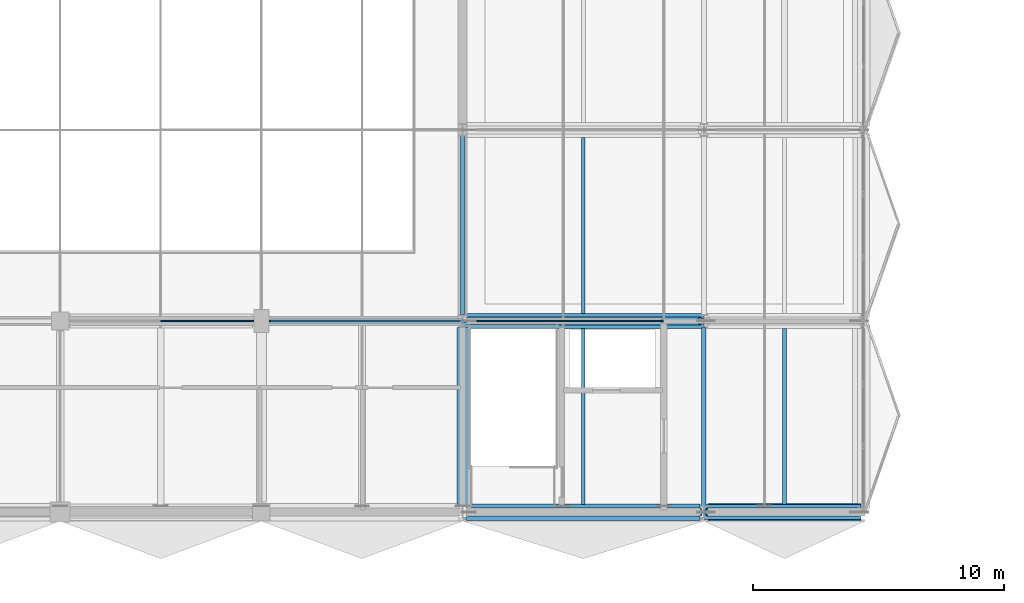
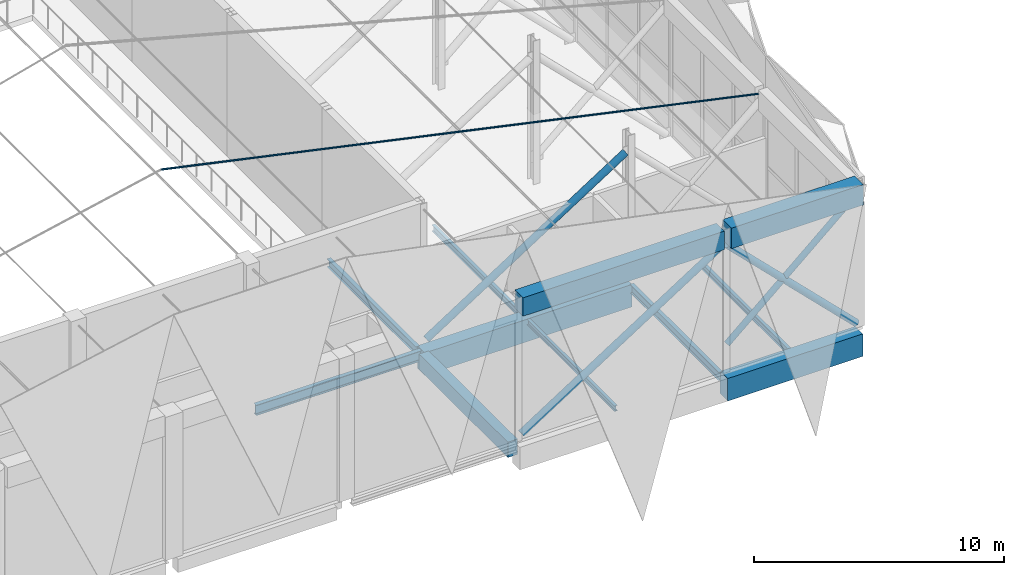
# One storey, part 6 of 46: 11 beams, 5 members.
"""IFC4 building model written with IfcOpenShell, lengths in metres."""

from ifc_helpers import new_model, si_unit, direction, frame, origin, origin_2d, place, context, subcontext, project, spatial, rectangle, circle, hollow_circle, i_section, extrude, material, material_profile, profile_set, type_object, element, save


model = new_model("IFC4")

# Units and contexts
model_context = context("Model", 3, precision=1e-05, world=origin(), true_north=direction((0.0, 1.0)))
body_context = subcontext(model_context, "Body", "Model", "MODEL_VIEW")
ifc_project = project(units=[si_unit("LENGTHUNIT", "METRE"), si_unit("AREAUNIT", "SQUARE_METRE"), si_unit("VOLUMEUNIT", "CUBIC_METRE"), si_unit("PLANEANGLEUNIT", "RADIAN"), si_unit("MASSUNIT", "GRAM", prefix="KILO")], contexts=[model_context])

# Site, building, storey
site_placement = place(None, origin())
site = spatial("IfcSite", under=ifc_project, at=site_placement, CompositionType="ELEMENT")
building_placement = place(site_placement, origin())
building = spatial("IfcBuilding", under=site, at=building_placement, Name="Khelvaren Railside Concert Hall", CompositionType="ELEMENT")
storey_placement = place(building_placement, frame((0.0, 0.0, 19.800048828125)))
storey = spatial("IfcBuildingStorey", under=building, at=storey_placement, Name="L04", CompositionType="ELEMENT", Elevation=19.800048828125)

# Beams
ifc_material_1 = material(Name="Steel S355", Category="steel")
ifc_material_profile_1 = material_profile(ifc_material_1, i_section(OverallWidth=0.179931640625, OverallDepth=0.39990234375, WebThickness=0.008544921875, FlangeThickness=0.013427734375, FilletRadius=0.02099609375, at=origin_2d()), Name="IPE 400")
ifc_profile_set_1 = profile_set([ifc_material_profile_1], Name="Steel S355")
beam_type_1 = type_object("IfcBeamType", Name="BM29", PredefinedType="BEAM", material=ifc_profile_set_1)
beam_1_placement = place(storey_placement, frame((40.0, 7.85009765625, -0.469970703125), z_axis=(0.0, 1.0, 0.0), x_axis=(-1.0, 0.0, 0.0)))
element("IfcBeam", 1, at=beam_1_placement, inside=storey, type_object=beam_type_1, Name="V1 L04 Beam Y6.2", PredefinedType="BEAM", context=body_context, shape_type="SweptSolid", body=[
    extrude(i_section(OverallWidth=0.179931640625, OverallDepth=0.39990234375, WebThickness=0.008544921875, FlangeThickness=0.013427734375, FilletRadius=0.02099609375, at=origin_2d()), origin(), (0.0, 0.0, 1.0), 7.099853515625),
])
beam_2_placement = place(storey_placement, frame((49.60009765625, 0.25, -0.469970703125), z_axis=(0.0, 1.0, 0.0), x_axis=(-1.0, 0.0, 0.0)))
element("IfcBeam", 2, at=beam_2_placement, inside=storey, type_object=beam_type_1, Name="V1 L04 Beam Y7.1", PredefinedType="BEAM", context=body_context, shape_type="SweptSolid", body=[
    extrude(i_section(OverallWidth=0.179931640625, OverallDepth=0.39990234375, WebThickness=0.008544921875, FlangeThickness=0.013427734375, FilletRadius=0.02099609375, at=origin_2d()), origin(), (0.0, 0.0, 1.0), 7.10009765625),
])
ifc_material_profile_2 = material_profile(ifc_material_1, i_section(OverallWidth=0.199951171875, OverallDepth=0.5, WebThickness=0.01025390625, FlangeThickness=0.01611328125, FilletRadius=0.02099609375, at=origin_2d()), Name="IPE 500")
ifc_profile_set_2 = profile_set([ifc_material_profile_2], Name="Steel S355")
beam_type_2 = type_object("IfcBeamType", Name="BM62", PredefinedType="BEAM", material=ifc_profile_set_2)
beam_3_placement = place(storey_placement, frame((32.35009765625, 7.60009765625, -0.52001953125), z_axis=(1.0, 0.0, 0.0), x_axis=(0.0, 1.0, 0.0)))
element("IfcBeam", 3, at=beam_3_placement, inside=storey, type_object=beam_type_2, Name="V1 L04 Beam X2.5", PredefinedType="BEAM", context=body_context, shape_type="SweptSolid", body=[
    extrude(i_section(OverallWidth=0.199951171875, OverallDepth=0.5, WebThickness=0.01025390625, FlangeThickness=0.01611328125, FilletRadius=0.02099609375, at=origin_2d()), origin(), (0.0, 0.0, 1.0), 7.639892578125),
])
ifc_material_2 = material(Name="Concrete C40/50", Category="concrete")
ifc_material_profile_3 = material_profile(ifc_material_2, rectangle(XDim=0.449951171875, YDim=0.75, at=origin_2d()), Name="RCB 450x750")
ifc_profile_set_3 = profile_set([ifc_material_profile_3], Name="Concrete C40/50")
beam_type_3 = type_object("IfcBeamType", Name="BM83", PredefinedType="BEAM", material=ifc_profile_set_3)
beam_4_placement = place(storey_placement, frame((40.0, 0.25, -0.64501953125), z_axis=(0.0, 1.0, 0.0), x_axis=(-1.0, 0.0, 0.0)))
element("IfcBeam", 4, at=beam_4_placement, inside=storey, type_object=beam_type_3, Name="V1 L04 Beam Y6.1", PredefinedType="BEAM", context=body_context, shape_type="SweptSolid", body=[
    extrude(rectangle(XDim=0.449951171875, YDim=0.75, at=origin_2d()), origin(), (0.0, 0.0, 1.0), 7.10009765625),
])

# Members
ifc_material_profile_4 = material_profile(ifc_material_1, hollow_circle(Radius=0.161865234375, WallThickness=0.01611328125, at=origin_2d()), Name="CHS 323.9x16")
ifc_profile_set_4 = profile_set([ifc_material_profile_4], Name="Steel S355")
member_type_1 = type_object("IfcMemberType", Name="BR78", PredefinedType="BRACE", material=ifc_profile_set_4)
member_1_placement = place(storey_placement, frame((49.75, 0.0, 6.050048828125), z_axis=(0.710072403589, 0.0, -0.704128668399), x_axis=(0.0, 1.0, 0.0)))
element("IfcMember", 5, at=member_1_placement, inside=storey, type_object=member_type_1, Name="V1 L04 Plaza Cantilever Truss Diagonal 1A", PredefinedType="BRACE", context=body_context, shape_type="SweptSolid", body=[
    extrude(hollow_circle(Radius=0.161865234375, WallThickness=0.01611328125, at=origin_2d()), origin(), (0.0, 0.0, 1.0), 8.37939453125),
])
for number, where, z_axis, x_axis, name in (
    (6, (40.25, 0.0, 0.14990234375), (0.841765139868, 0.0, 0.539843911981), (0.0, 1.0, 0.0), "V1 L04 Plaza Cantilever Truss Backspan Diagonal 1B"),
    (7, (40.25, 7.60009765625, 0.14990234375), (0.841765139868, 0.0, 0.539843911981), (0.0, 1.0, 0.0), "V1 L04 Plaza Cantilever Truss Backspan Diagonal 2B"),
):
    element("IfcMember", number, at=place(storey_placement, frame(where, z_axis=z_axis, x_axis=x_axis)), inside=storey, type_object=member_type_1, Name=name, PredefinedType="BRACE", context=body_context, shape_type="SweptSolid", body=[
        extrude(hollow_circle(Radius=0.161865234375, WallThickness=0.01611328125, at=origin_2d()), origin(), (0.0, 0.0, 1.0), 10.929443359375),
    ])

# Beams
ifc_material_profile_5 = material_profile(ifc_material_2, rectangle(XDim=0.60009765625, YDim=1.10009765625, at=origin_2d()), Name="RCB 600x1100")
ifc_profile_set_5 = profile_set([ifc_material_profile_5], Name="Concrete C40/50")
beam_type_4 = type_object("IfcBeamType", Name="GR15", PredefinedType="T_BEAM", material=ifc_profile_set_5)
beam_5_placement = place(storey_placement, frame((49.610107421875, 0.0, -0.820068359375), z_axis=(1.0, 0.0, 0.0), x_axis=(0.0, 1.0, 0.0)))
element("IfcBeam", 8, at=beam_5_placement, inside=storey, type_object=beam_type_4, Name="V1 L04 Arrival Cantilever Girder 1", PredefinedType="T_BEAM", context=body_context, shape_type="SweptSolid", body=[
    extrude(rectangle(XDim=0.60009765625, YDim=1.10009765625, at=origin_2d()), origin(), (0.0, 0.0, 1.0), 6.239990234375),
])
beam_6_placement = place(storey_placement, frame((40.010009765625, 7.60009765625, -0.820068359375), z_axis=(1.0, 0.0, 0.0), x_axis=(0.0, 1.0, 0.0)))
element("IfcBeam", 9, at=beam_6_placement, inside=storey, type_object=beam_type_4, Name="V1 L04 Cantilever Backspan Girder 2", PredefinedType="T_BEAM", context=body_context, shape_type="SweptSolid", body=[
    extrude(rectangle(XDim=0.60009765625, YDim=1.10009765625, at=origin_2d()), origin(), (0.0, 0.0, 1.0), 9.580078125),
])
ifc_material_profile_6 = material_profile(ifc_material_1, i_section(OverallWidth=0.14990234375, OverallDepth=0.300048828125, WebThickness=0.007080078125, FlangeThickness=0.0107421875, FilletRadius=0.014892578125, at=origin_2d()), Name="IPE 300")
ifc_profile_set_6 = profile_set([ifc_material_profile_6], Name="Steel S355")
beam_type_5 = type_object("IfcBeamType", Name="JS26", PredefinedType="JOIST", material=ifc_profile_set_6)
for number, where, z_axis, x_axis, name in (
    (10, (44.800048828125, 7.89990234375, -0.420166015625), (0.0, 1.0, 0.0), (-1.0, 0.0, 0.0), "V1 L04 Secondary Joist 6.2"),
    (11, (52.800048828125, 0.300048828125, -0.420166015625), (0.0, 1.0, 0.0), (-1.0, 0.0, 0.0), "V1 L04 Secondary Joist 7.1"),
):
    element("IfcBeam", number, at=place(storey_placement, frame(where, z_axis=z_axis, x_axis=x_axis)), inside=storey, type_object=beam_type_5, Name=name, PredefinedType="JOIST", context=body_context, shape_type="SweptSolid", body=[
        extrude(i_section(OverallWidth=0.14990234375, OverallDepth=0.300048828125, WebThickness=0.007080078125, FlangeThickness=0.0107421875, FilletRadius=0.014892578125, at=origin_2d()), origin(), (0.0, 0.0, 1.0), 7.0),
    ])
ifc_material_profile_7 = material_profile(ifc_material_1, i_section(OverallWidth=0.135009765625, OverallDepth=0.27001953125, WebThickness=0.006591796875, FlangeThickness=0.01025390625, FilletRadius=0.014892578125, at=origin_2d()), Name="IPE 270")
ifc_profile_set_7 = profile_set([ifc_material_profile_7], Name="Steel S355")
beam_type_6 = type_object("IfcBeamType", Name="JS78", PredefinedType="JOIST", material=ifc_profile_set_7)
beam_7_placement = place(storey_placement, frame((44.800048828125, 0.300048828125, -0.405029296875), z_axis=(0.0, 1.0, 0.0), x_axis=(-1.0, 0.0, 0.0)))
element("IfcBeam", 12, at=beam_7_placement, inside=storey, type_object=beam_type_6, Name="V1 L04 Secondary Joist 6.1", PredefinedType="JOIST", context=body_context, shape_type="SweptSolid", body=[
    extrude(i_section(OverallWidth=0.135009765625, OverallDepth=0.27001953125, WebThickness=0.006591796875, FlangeThickness=0.01025390625, FilletRadius=0.014892578125, at=origin_2d()), origin(), (0.0, 0.0, 1.0), 7.0),
])
ifc_material_profile_8 = material_profile(ifc_material_2, rectangle(XDim=0.699951171875, YDim=1.0, at=origin_2d()), Name="RCB 700x1000")
ifc_profile_set_8 = profile_set([ifc_material_profile_8], Name="Concrete C40/50")
beam_type_7 = type_object("IfcBeamType", Name="RB80", PredefinedType="USERDEFINED", material=ifc_profile_set_8)
beam_8_placement = place(storey_placement, frame((49.75, 0.0, 6.550048828125), z_axis=(1.0, 0.0, 0.0), x_axis=(0.0, 1.0, 0.0)))
element("IfcBeam", 13, at=beam_8_placement, inside=storey, type_object=beam_type_7, Name="Main Hall Compression Ring Beam 7", ObjectType="RING BEAM", PredefinedType="USERDEFINED", context=body_context, shape_type="SweptSolid", body=[
    extrude(rectangle(XDim=0.699951171875, YDim=1.0, at=origin_2d()), origin(), (0.0, 0.0, 1.0), 6.10009765625),
])
ifc_material_profile_9 = material_profile(ifc_material_2, rectangle(XDim=0.64990234375, YDim=0.89990234375, at=origin_2d()), Name="RCB 650x900")
ifc_profile_set_9 = profile_set([ifc_material_profile_9], Name="Concrete C40/50")
beam_type_8 = type_object("IfcBeamType", Name="RB88", PredefinedType="USERDEFINED", material=ifc_profile_set_9)
beam_9_placement = place(storey_placement, frame((40.14990234375, 0.0, 6.550048828125), z_axis=(1.0, 0.0, 0.0), x_axis=(0.0, 1.0, 0.0)))
element("IfcBeam", 14, at=beam_9_placement, inside=storey, type_object=beam_type_8, Name="Main Hall Compression Ring Beam 6", ObjectType="RING BEAM", PredefinedType="USERDEFINED", context=body_context, shape_type="SweptSolid", body=[
    extrude(rectangle(XDim=0.64990234375, YDim=0.89990234375, at=origin_2d()), origin(), (0.0, 0.0, 1.0), 9.300048828125),
])

# Members
ifc_material_profile_10 = material_profile(ifc_material_1, hollow_circle(Radius=0.136474609375, WallThickness=0.01611328125, at=origin_2d()), Name="CHS 273x16")
ifc_profile_set_10 = profile_set([ifc_material_profile_10], Name="Steel S355")
member_type_2 = type_object("IfcMemberType", Name="RSU43", PredefinedType="STRUT", material=ifc_profile_set_10)
member_2_placement = place(storey_placement, frame((49.75, 0.0, 1.199951171875), z_axis=(0.75181197221, 0.0, 0.65937755379), x_axis=(0.0, 1.0, 0.0)))
element("IfcMember", 15, at=member_2_placement, inside=storey, type_object=member_type_2, Name="Main Hall East Cantilever Ring Strut 1", PredefinedType="STRUT", context=body_context, shape_type="SweptSolid", body=[
    extrude(hollow_circle(Radius=0.136474609375, WallThickness=0.01611328125, at=origin_2d()), origin(), (0.0, 0.0, 1.0), 8.11376953125),
])
ifc_material_3 = material(Name="High-strength steel cable S460", Category="steel")
ifc_material_profile_11 = material_profile(ifc_material_3, circle(Radius=0.032470703125, at=origin_2d()), Name="LCB D65")
ifc_profile_set_11 = profile_set([ifc_material_profile_11], Name="High-strength steel cable S460")
member_type_3 = type_object("IfcMemberType", Name="TC89", PredefinedType="USERDEFINED", material=ifc_profile_set_11)
member_3_placement = place(storey_placement, frame((28.0, 7.60009765625, 12.712158203125), z_axis=(0.977453873668, 0.0, -0.211149058371), x_axis=(0.0, 1.0, 0.0)))
element("IfcMember", 16, at=member_3_placement, inside=storey, type_object=member_type_3, Name="Main Hall Cable-Net Longitudinal Stay Cable 15", ObjectType="TENSION CABLE", PredefinedType="USERDEFINED", context=body_context, shape_type="SweptSolid", body=[
    extrude(circle(Radius=0.032470703125, at=origin_2d()), origin(), (0.0, 0.0, 1.0), 28.23681640625),
])

save(model, "model.ifc")
